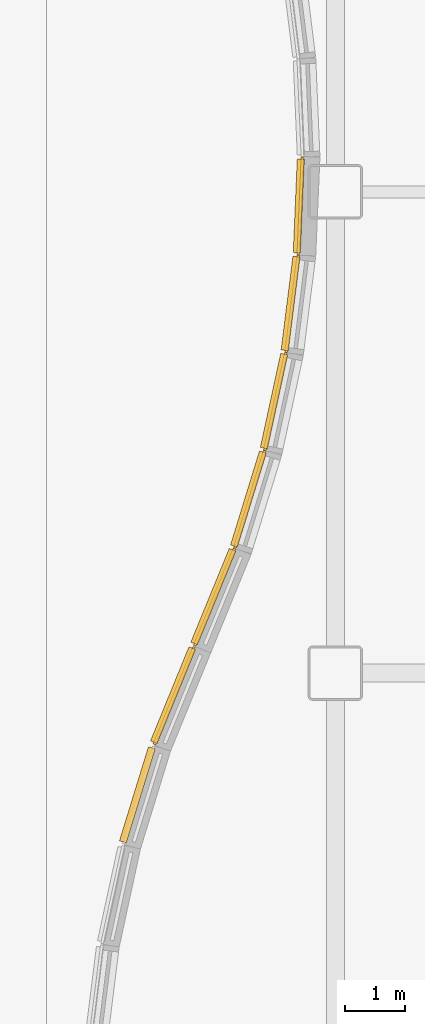
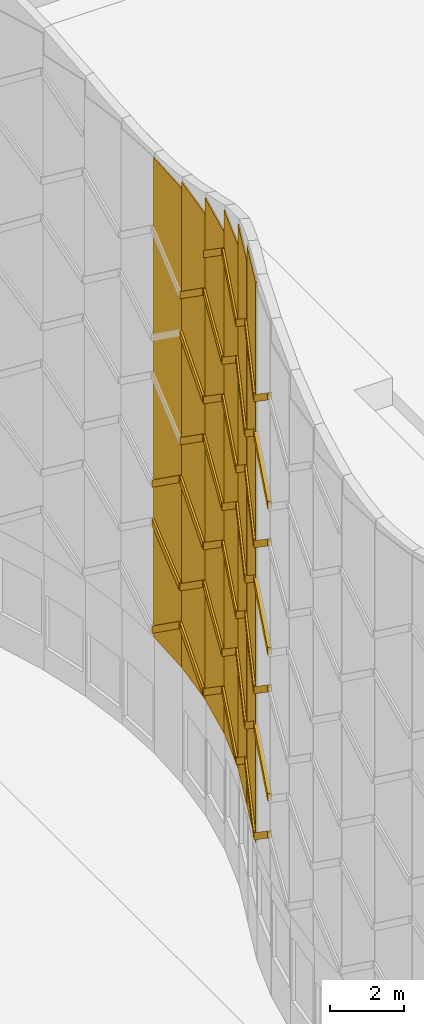
# One storey, part 152 of 165: 50 coverings.
"""IFC4 building model written with IfcOpenShell, lengths in metres."""

from ifc_helpers import new_model, si_unit, direction, frame, origin, origin_2d, place, context, subcontext, project, spatial, polyline, rectangle, outline, extrude, material, layer, layer_set, type_object, element, save


model = new_model("IFC4")

# Units and contexts
model_context = context("Model", 3, precision=1e-05, world=origin(), true_north=direction((0.0, 1.0)))
body_context = subcontext(model_context, "Body", "Model", "MODEL_VIEW")
ifc_project = project(units=[si_unit("LENGTHUNIT", "METRE"), si_unit("AREAUNIT", "SQUARE_METRE"), si_unit("VOLUMEUNIT", "CUBIC_METRE"), si_unit("PLANEANGLEUNIT", "RADIAN"), si_unit("MASSUNIT", "GRAM", prefix="KILO")], contexts=[model_context])

# Site, building, storey
site_placement = place(None, origin())
site = spatial("IfcSite", under=ifc_project, at=site_placement, CompositionType="ELEMENT")
building_placement = place(site_placement, origin())
building = spatial("IfcBuilding", under=site, at=building_placement, Name="Kazehara Bluff Congress Hotel", CompositionType="ELEMENT")
storey_placement = place(building_placement, origin())
storey = spatial("IfcBuildingStorey", under=building, at=storey_placement, Name="L00", CompositionType="ELEMENT", Elevation=0.0)

# Coverings
ifc_material_1 = material(Name="Basalt stone-grey chevron ceramic tile", Category="masonry")
ifc_layer_1 = layer(ifc_material_1, 0.1201171875)
ifc_layer_set_1 = layer_set([ifc_layer_1], Name="Basalt stone-grey chevron ceramic tile")
covering_type_1 = type_object("IfcCoveringType", Name="TP-CHV-RIB", PredefinedType="CLADDING", material=ifc_layer_set_1)
covering_1_placement = place(storey_placement, frame((1.260009765625, 61.610107421875, 4.0), z_axis=(0.0, 0.0, 1.0), x_axis=(0.294245819444, 0.955729772342, 0.0)))
element("IfcCovering", 1, at=covering_1_placement, inside=storey, type_object=covering_type_1, Name="Chevron stone-grey tile rib WR-V1-09-1", PredefinedType="CLADDING", context=body_context, shape_type="SweptSolid", body=[
    extrude(outline(polyline([(0.0400390625, 1.175048828125), (1.675048828125, 0.0), (1.675048828125, 0.239990234375), (0.0400390625, 1.4150390625), (0.0400390625, 1.175048828125)])), frame((0.0, 0.06005859375, 0.0), z_axis=(0.0, -1.0, 0.0), x_axis=(1.0, 0.0, 0.0)), (0.0, 0.0, 1.0), 0.1201171875),
])
covering_2_placement = place(storey_placement, frame((1.260009765625, 61.610107421875, 6.39990234375), z_axis=(0.0, 0.0, 1.0), x_axis=(0.294245819444, 0.955729772342, 0.0)))
element("IfcCovering", 2, at=covering_2_placement, inside=storey, type_object=covering_type_1, Name="Chevron stone-grey tile rib WR-V1-09-2", PredefinedType="CLADDING", context=body_context, shape_type="SweptSolid", body=[
    extrude(outline(polyline([(0.0400390625, 0.0), (1.675048828125, 1.175048828125), (1.675048828125, 1.4150390625), (0.0400390625, 0.239990234375), (0.0400390625, 0.0)])), frame((0.0, 0.06005859375, 0.0), z_axis=(0.0, -1.0, 0.0), x_axis=(1.0, 0.0, 0.0)), (0.0, 0.0, 1.0), 0.1201171875),
])
covering_3_placement = place(storey_placement, frame((1.260009765625, 61.610107421875, 8.800048828125), z_axis=(0.0, 0.0, 1.0), x_axis=(0.294245819444, 0.955729772342, 0.0)))
element("IfcCovering", 3, at=covering_3_placement, inside=storey, type_object=covering_type_1, Name="Chevron stone-grey tile rib WR-V1-09-3", PredefinedType="CLADDING", context=body_context, shape_type="SweptSolid", body=[
    extrude(outline(polyline([(0.0400390625, 1.175048828125), (1.675048828125, 0.0), (1.675048828125, 0.239990234375), (0.0400390625, 1.4150390625), (0.0400390625, 1.175048828125)])), frame((0.0, 0.06005859375, 0.0), z_axis=(0.0, -1.0, 0.0), x_axis=(1.0, 0.0, 0.0)), (0.0, 0.0, 1.0), 0.1201171875),
])
covering_4_placement = place(storey_placement, frame((1.260009765625, 61.610107421875, 11.199951171875), z_axis=(0.0, 0.0, 1.0), x_axis=(0.294245819444, 0.955729772342, 0.0)))
element("IfcCovering", 4, at=covering_4_placement, inside=storey, type_object=covering_type_1, Name="Chevron stone-grey tile rib WR-V1-09-4", PredefinedType="CLADDING", context=body_context, shape_type="SweptSolid", body=[
    extrude(outline(polyline([(0.0400390625, 0.0), (1.675048828125, 1.175048828125), (1.675048828125, 1.4150390625), (0.0400390625, 0.239990234375), (0.0400390625, 0.0)])), frame((0.0, 0.06005859375, 0.0), z_axis=(0.0, -1.0, 0.0), x_axis=(1.0, 0.0, 0.0)), (0.0, 0.0, 1.0), 0.1201171875),
])
covering_5_placement = place(storey_placement, frame((1.260009765625, 61.610107421875, 13.60009765625), z_axis=(0.0, 0.0, 1.0), x_axis=(0.294245819444, 0.955729772342, 0.0)))
element("IfcCovering", 5, at=covering_5_placement, inside=storey, type_object=covering_type_1, Name="Chevron stone-grey tile rib WR-V1-09-5", PredefinedType="CLADDING", context=body_context, shape_type="SweptSolid", body=[
    extrude(outline(polyline([(0.0400390625, 1.1748046875), (1.675048828125, 0.0), (1.675048828125, 0.239990234375), (0.0400390625, 1.414794921875), (0.0400390625, 1.1748046875)])), frame((0.0, 0.06005859375, 0.0), z_axis=(0.0, -1.0, 0.0), x_axis=(1.0, 0.0, 0.0)), (0.0, 0.0, 1.0), 0.1201171875),
])
covering_6_placement = place(storey_placement, frame((1.260009765625, 61.610107421875, 16.0), z_axis=(0.0, 0.0, 1.0), x_axis=(0.294245819444, 0.955729772342, 0.0)))
element("IfcCovering", 6, at=covering_6_placement, inside=storey, type_object=covering_type_1, Name="Chevron stone-grey tile rib WR-V1-09-6", PredefinedType="CLADDING", context=body_context, shape_type="SweptSolid", body=[
    extrude(outline(polyline([(0.0400390625, 0.0), (1.675048828125, 1.175048828125), (1.675048828125, 1.4150390625), (0.0400390625, 0.239990234375), (0.0400390625, 0.0)])), frame((0.0, 0.06005859375, 0.0), z_axis=(0.0, -1.0, 0.0), x_axis=(1.0, 0.0, 0.0)), (0.0, 0.0, 1.0), 0.1201171875),
])
covering_7_placement = place(storey_placement, frame((1.260009765625, 61.610107421875, 18.39990234375), z_axis=(0.0, 0.0, 1.0), x_axis=(0.294245819444, 0.955729772342, 0.0)))
element("IfcCovering", 7, at=covering_7_placement, inside=storey, type_object=covering_type_1, Name="Chevron stone-grey tile rib WR-V1-09-7", PredefinedType="CLADDING", context=body_context, shape_type="SweptSolid", body=[
    extrude(outline(polyline([(0.0400390625, 1.175048828125), (1.675048828125, 0.0), (1.675048828125, 0.239990234375), (0.0400390625, 1.4150390625), (0.0400390625, 1.175048828125)])), frame((0.0, 0.06005859375, 0.0), z_axis=(0.0, -1.0, 0.0), x_axis=(1.0, 0.0, 0.0)), (0.0, 0.0, 1.0), 0.1201171875),
])
covering_8_placement = place(storey_placement, frame((1.77001953125, 63.264892578125, 4.0), z_axis=(0.0, 0.0, 1.0), x_axis=(0.378128410159, 0.925753155777, 0.0)))
element("IfcCovering", 8, at=covering_8_placement, inside=storey, type_object=covering_type_1, Name="Chevron stone-grey tile rib WR-V1-10-1", PredefinedType="CLADDING", context=body_context, shape_type="SweptSolid", body=[
    extrude(outline(polyline([(0.0400390625, 0.0), (1.72998046875, 1.199951171875), (1.72998046875, 1.43994140625), (0.0400390625, 0.239990234375), (0.0400390625, 0.0)])), frame((0.0, 0.06005859375, 0.0), z_axis=(0.0, -1.0, 0.0), x_axis=(1.0, 0.0, 0.0)), (0.0, 0.0, 1.0), 0.1201171875),
])
covering_9_placement = place(storey_placement, frame((1.77001953125, 63.264892578125, 6.39990234375), z_axis=(0.0, 0.0, 1.0), x_axis=(0.378128410159, 0.925753155777, 0.0)))
element("IfcCovering", 9, at=covering_9_placement, inside=storey, type_object=covering_type_1, Name="Chevron stone-grey tile rib WR-V1-10-2", PredefinedType="CLADDING", context=body_context, shape_type="SweptSolid", body=[
    extrude(outline(polyline([(0.0400390625, 1.2001953125), (1.72998046875, 0.0), (1.72998046875, 0.239990234375), (0.0400390625, 1.440185546875), (0.0400390625, 1.2001953125)])), frame((0.0, 0.06005859375, 0.0), z_axis=(0.0, -1.0, 0.0), x_axis=(1.0, 0.0, 0.0)), (0.0, 0.0, 1.0), 0.1201171875),
])
covering_10_placement = place(storey_placement, frame((1.77001953125, 63.264892578125, 8.800048828125), z_axis=(0.0, 0.0, 1.0), x_axis=(0.378128410159, 0.925753155777, 0.0)))
element("IfcCovering", 10, at=covering_10_placement, inside=storey, type_object=covering_type_1, Name="Chevron stone-grey tile rib WR-V1-10-3", PredefinedType="CLADDING", context=body_context, shape_type="SweptSolid", body=[
    extrude(outline(polyline([(0.0400390625, 0.0), (1.72998046875, 1.199951171875), (1.72998046875, 1.43994140625), (0.0400390625, 0.239990234375), (0.0400390625, 0.0)])), frame((0.0, 0.06005859375, 0.0), z_axis=(0.0, -1.0, 0.0), x_axis=(1.0, 0.0, 0.0)), (0.0, 0.0, 1.0), 0.1201171875),
])
covering_11_placement = place(storey_placement, frame((1.77001953125, 63.264892578125, 11.199951171875), z_axis=(0.0, 0.0, 1.0), x_axis=(0.378128410159, 0.925753155777, 0.0)))
element("IfcCovering", 11, at=covering_11_placement, inside=storey, type_object=covering_type_1, Name="Chevron stone-grey tile rib WR-V1-10-4", PredefinedType="CLADDING", context=body_context, shape_type="SweptSolid", body=[
    extrude(outline(polyline([(0.0400390625, 1.199951171875), (1.72998046875, 0.0), (1.72998046875, 0.239990234375), (0.0400390625, 1.43994140625), (0.0400390625, 1.199951171875)])), frame((0.0, 0.06005859375, 0.0), z_axis=(0.0, -1.0, 0.0), x_axis=(1.0, 0.0, 0.0)), (0.0, 0.0, 1.0), 0.1201171875),
])
covering_12_placement = place(storey_placement, frame((1.77001953125, 63.264892578125, 13.60009765625), z_axis=(0.0, 0.0, 1.0), x_axis=(0.378128410159, 0.925753155777, 0.0)))
element("IfcCovering", 12, at=covering_12_placement, inside=storey, type_object=covering_type_1, Name="Chevron stone-grey tile rib WR-V1-10-5", PredefinedType="CLADDING", context=body_context, shape_type="SweptSolid", body=[
    extrude(outline(polyline([(0.0400390625, 0.0), (1.72998046875, 1.199951171875), (1.72998046875, 1.43994140625), (0.0400390625, 0.239990234375), (0.0400390625, 0.0)])), frame((0.0, 0.06005859375, 0.0), z_axis=(0.0, -1.0, 0.0), x_axis=(1.0, 0.0, 0.0)), (0.0, 0.0, 1.0), 0.1201171875),
])
covering_13_placement = place(storey_placement, frame((1.77001953125, 63.264892578125, 16.0), z_axis=(0.0, 0.0, 1.0), x_axis=(0.378128410159, 0.925753155777, 0.0)))
element("IfcCovering", 13, at=covering_13_placement, inside=storey, type_object=covering_type_1, Name="Chevron stone-grey tile rib WR-V1-10-6", PredefinedType="CLADDING", context=body_context, shape_type="SweptSolid", body=[
    extrude(outline(polyline([(0.0400390625, 1.199951171875), (1.72998046875, 0.0), (1.72998046875, 0.239990234375), (0.0400390625, 1.43994140625), (0.0400390625, 1.199951171875)])), frame((0.0, 0.06005859375, 0.0), z_axis=(0.0, -1.0, 0.0), x_axis=(1.0, 0.0, 0.0)), (0.0, 0.0, 1.0), 0.1201171875),
])
covering_14_placement = place(storey_placement, frame((1.77001953125, 63.264892578125, 18.39990234375), z_axis=(0.0, 0.0, 1.0), x_axis=(0.378128410159, 0.925753155777, 0.0)))
element("IfcCovering", 14, at=covering_14_placement, inside=storey, type_object=covering_type_1, Name="Chevron stone-grey tile rib WR-V1-10-7", PredefinedType="CLADDING", context=body_context, shape_type="SweptSolid", body=[
    extrude(outline(polyline([(0.0400390625, 0.0), (1.72998046875, 1.2001953125), (1.72998046875, 1.440185546875), (0.0400390625, 0.239990234375), (0.0400390625, 0.0)])), frame((0.0, 0.06005859375, 0.0), z_axis=(0.0, -1.0, 0.0), x_axis=(1.0, 0.0, 0.0)), (0.0, 0.0, 1.0), 0.1201171875),
])
covering_15_placement = place(storey_placement, frame((2.43994140625, 64.905029296875, 4.0), z_axis=(0.0, 0.0, 1.0), x_axis=(0.379262202466, 0.925289242227, 0.0)))
element("IfcCovering", 15, at=covering_15_placement, inside=storey, type_object=covering_type_1, Name="Chevron stone-grey tile rib WR-V1-11-1", PredefinedType="CLADDING", context=body_context, shape_type="SweptSolid", body=[
    extrude(outline(polyline([(0.0400390625, 1.199951171875), (1.72509765625, 0.0), (1.72509765625, 0.239990234375), (0.0400390625, 1.43994140625), (0.0400390625, 1.199951171875)])), frame((0.0, 0.06005859375, 0.0), z_axis=(0.0, -1.0, 0.0), x_axis=(1.0, 0.0, 0.0)), (0.0, 0.0, 1.0), 0.1201171875),
])
covering_16_placement = place(storey_placement, frame((2.43994140625, 64.905029296875, 6.39990234375), z_axis=(0.0, 0.0, 1.0), x_axis=(0.379262202466, 0.925289242227, 0.0)))
element("IfcCovering", 16, at=covering_16_placement, inside=storey, type_object=covering_type_1, Name="Chevron stone-grey tile rib WR-V1-11-2", PredefinedType="CLADDING", context=body_context, shape_type="SweptSolid", body=[
    extrude(outline(polyline([(0.0400390625, 0.0), (1.72509765625, 1.2001953125), (1.72509765625, 1.440185546875), (0.0400390625, 0.239990234375), (0.0400390625, 0.0)])), frame((0.0, 0.06005859375, 0.0), z_axis=(0.0, -1.0, 0.0), x_axis=(1.0, 0.0, 0.0)), (0.0, 0.0, 1.0), 0.1201171875),
])
covering_17_placement = place(storey_placement, frame((2.43994140625, 64.905029296875, 8.800048828125), z_axis=(0.0, 0.0, 1.0), x_axis=(0.379262202466, 0.925289242227, 0.0)))
element("IfcCovering", 17, at=covering_17_placement, inside=storey, type_object=covering_type_1, Name="Chevron stone-grey tile rib WR-V1-11-3", PredefinedType="CLADDING", context=body_context, shape_type="SweptSolid", body=[
    extrude(outline(polyline([(0.0400390625, 1.199951171875), (1.72509765625, 0.0), (1.72509765625, 0.239990234375), (0.0400390625, 1.43994140625), (0.0400390625, 1.199951171875)])), frame((0.0, 0.06005859375, 0.0), z_axis=(0.0, -1.0, 0.0), x_axis=(1.0, 0.0, 0.0)), (0.0, 0.0, 1.0), 0.1201171875),
])
covering_18_placement = place(storey_placement, frame((2.43994140625, 64.905029296875, 11.199951171875), z_axis=(0.0, 0.0, 1.0), x_axis=(0.379262202466, 0.925289242227, 0.0)))
element("IfcCovering", 18, at=covering_18_placement, inside=storey, type_object=covering_type_1, Name="Chevron stone-grey tile rib WR-V1-11-4", PredefinedType="CLADDING", context=body_context, shape_type="SweptSolid", body=[
    extrude(outline(polyline([(0.0400390625, 0.0), (1.72509765625, 1.199951171875), (1.72509765625, 1.43994140625), (0.0400390625, 0.239990234375), (0.0400390625, 0.0)])), frame((0.0, 0.06005859375, 0.0), z_axis=(0.0, -1.0, 0.0), x_axis=(1.0, 0.0, 0.0)), (0.0, 0.0, 1.0), 0.1201171875),
])
covering_19_placement = place(storey_placement, frame((2.43994140625, 64.905029296875, 13.60009765625), z_axis=(0.0, 0.0, 1.0), x_axis=(0.379262202466, 0.925289242227, 0.0)))
element("IfcCovering", 19, at=covering_19_placement, inside=storey, type_object=covering_type_1, Name="Chevron stone-grey tile rib WR-V1-11-5", PredefinedType="CLADDING", context=body_context, shape_type="SweptSolid", body=[
    extrude(outline(polyline([(0.0400390625, 1.199951171875), (1.72509765625, 0.0), (1.72509765625, 0.239990234375), (0.0400390625, 1.43994140625), (0.0400390625, 1.199951171875)])), frame((0.0, 0.06005859375, 0.0), z_axis=(0.0, -1.0, 0.0), x_axis=(1.0, 0.0, 0.0)), (0.0, 0.0, 1.0), 0.1201171875),
])
covering_20_placement = place(storey_placement, frame((2.43994140625, 64.905029296875, 16.0), z_axis=(0.0, 0.0, 1.0), x_axis=(0.379262202466, 0.925289242227, 0.0)))
element("IfcCovering", 20, at=covering_20_placement, inside=storey, type_object=covering_type_1, Name="Chevron stone-grey tile rib WR-V1-11-6", PredefinedType="CLADDING", context=body_context, shape_type="SweptSolid", body=[
    extrude(outline(polyline([(0.0400390625, 0.0), (1.72509765625, 1.199951171875), (1.72509765625, 1.43994140625), (0.0400390625, 0.239990234375), (0.0400390625, 0.0)])), frame((0.0, 0.06005859375, 0.0), z_axis=(0.0, -1.0, 0.0), x_axis=(1.0, 0.0, 0.0)), (0.0, 0.0, 1.0), 0.1201171875),
])
covering_21_placement = place(storey_placement, frame((2.43994140625, 64.905029296875, 18.39990234375), z_axis=(0.0, 0.0, 1.0), x_axis=(0.379262202466, 0.925289242227, 0.0)))
element("IfcCovering", 21, at=covering_21_placement, inside=storey, type_object=covering_type_1, Name="Chevron stone-grey tile rib WR-V1-11-7", PredefinedType="CLADDING", context=body_context, shape_type="SweptSolid", body=[
    extrude(outline(polyline([(0.0400390625, 1.2001953125), (1.72509765625, 0.0), (1.72509765625, 0.239990234375), (0.0400390625, 1.440185546875), (0.0400390625, 1.2001953125)])), frame((0.0, 0.06005859375, 0.0), z_axis=(0.0, -1.0, 0.0), x_axis=(1.0, 0.0, 0.0)), (0.0, 0.0, 1.0), 0.1201171875),
])
covering_22_placement = place(storey_placement, frame((3.10498046875, 66.52490234375, 4.0), z_axis=(0.0, 0.0, 1.0), x_axis=(0.294335754843, 0.955702078799, 0.0)))
element("IfcCovering", 22, at=covering_22_placement, inside=storey, type_object=covering_type_1, Name="Chevron stone-grey tile rib WR-V1-12-1", PredefinedType="CLADDING", context=body_context, shape_type="SweptSolid", body=[
    extrude(outline(polyline([(0.0400390625, 0.0), (1.675048828125, 1.175048828125), (1.675048828125, 1.4150390625), (0.0400390625, 0.239990234375), (0.0400390625, 0.0)])), frame((0.0, 0.06005859375, 0.0), z_axis=(0.0, -1.0, 0.0), x_axis=(1.0, 0.0, 0.0)), (0.0, 0.0, 1.0), 0.1201171875),
])
covering_23_placement = place(storey_placement, frame((3.10498046875, 66.52490234375, 6.39990234375), z_axis=(0.0, 0.0, 1.0), x_axis=(0.294335754843, 0.955702078799, 0.0)))
element("IfcCovering", 23, at=covering_23_placement, inside=storey, type_object=covering_type_1, Name="Chevron stone-grey tile rib WR-V1-12-2", PredefinedType="CLADDING", context=body_context, shape_type="SweptSolid", body=[
    extrude(outline(polyline([(0.0400390625, 1.175048828125), (1.675048828125, 0.0), (1.675048828125, 0.239990234375), (0.0400390625, 1.4150390625), (0.0400390625, 1.175048828125)])), frame((0.0, 0.06005859375, 0.0), z_axis=(0.0, -1.0, 0.0), x_axis=(1.0, 0.0, 0.0)), (0.0, 0.0, 1.0), 0.1201171875),
])
covering_24_placement = place(storey_placement, frame((3.10498046875, 66.52490234375, 8.800048828125), z_axis=(0.0, 0.0, 1.0), x_axis=(0.294335754843, 0.955702078799, 0.0)))
element("IfcCovering", 24, at=covering_24_placement, inside=storey, type_object=covering_type_1, Name="Chevron stone-grey tile rib WR-V1-12-3", PredefinedType="CLADDING", context=body_context, shape_type="SweptSolid", body=[
    extrude(outline(polyline([(0.0400390625, 0.0), (1.675048828125, 1.175048828125), (1.675048828125, 1.4150390625), (0.0400390625, 0.239990234375), (0.0400390625, 0.0)])), frame((0.0, 0.06005859375, 0.0), z_axis=(0.0, -1.0, 0.0), x_axis=(1.0, 0.0, 0.0)), (0.0, 0.0, 1.0), 0.1201171875),
])
covering_25_placement = place(storey_placement, frame((3.10498046875, 66.52490234375, 11.199951171875), z_axis=(0.0, 0.0, 1.0), x_axis=(0.294335754843, 0.955702078799, 0.0)))
element("IfcCovering", 25, at=covering_25_placement, inside=storey, type_object=covering_type_1, Name="Chevron stone-grey tile rib WR-V1-12-4", PredefinedType="CLADDING", context=body_context, shape_type="SweptSolid", body=[
    extrude(outline(polyline([(0.0400390625, 1.175048828125), (1.675048828125, 0.0), (1.675048828125, 0.239990234375), (0.0400390625, 1.4150390625), (0.0400390625, 1.175048828125)])), frame((0.0, 0.06005859375, 0.0), z_axis=(0.0, -1.0, 0.0), x_axis=(1.0, 0.0, 0.0)), (0.0, 0.0, 1.0), 0.1201171875),
])
covering_26_placement = place(storey_placement, frame((3.10498046875, 66.52490234375, 13.60009765625), z_axis=(0.0, 0.0, 1.0), x_axis=(0.294335754843, 0.955702078799, 0.0)))
element("IfcCovering", 26, at=covering_26_placement, inside=storey, type_object=covering_type_1, Name="Chevron stone-grey tile rib WR-V1-12-5", PredefinedType="CLADDING", context=body_context, shape_type="SweptSolid", body=[
    extrude(outline(polyline([(0.0400390625, 0.0), (1.675048828125, 1.1748046875), (1.675048828125, 1.414794921875), (0.0400390625, 0.239990234375), (0.0400390625, 0.0)])), frame((0.0, 0.06005859375, 0.0), z_axis=(0.0, -1.0, 0.0), x_axis=(1.0, 0.0, 0.0)), (0.0, 0.0, 1.0), 0.1201171875),
])
covering_27_placement = place(storey_placement, frame((3.10498046875, 66.52490234375, 16.0), z_axis=(0.0, 0.0, 1.0), x_axis=(0.294335754843, 0.955702078799, 0.0)))
element("IfcCovering", 27, at=covering_27_placement, inside=storey, type_object=covering_type_1, Name="Chevron stone-grey tile rib WR-V1-12-6", PredefinedType="CLADDING", context=body_context, shape_type="SweptSolid", body=[
    extrude(outline(polyline([(0.0400390625, 1.175048828125), (1.675048828125, 0.0), (1.675048828125, 0.239990234375), (0.0400390625, 1.4150390625), (0.0400390625, 1.175048828125)])), frame((0.0, 0.06005859375, 0.0), z_axis=(0.0, -1.0, 0.0), x_axis=(1.0, 0.0, 0.0)), (0.0, 0.0, 1.0), 0.1201171875),
])
covering_28_placement = place(storey_placement, frame((3.10498046875, 66.52490234375, 18.39990234375), z_axis=(0.0, 0.0, 1.0), x_axis=(0.294335754843, 0.955702078799, 0.0)))
element("IfcCovering", 28, at=covering_28_placement, inside=storey, type_object=covering_type_1, Name="Chevron stone-grey tile rib WR-V1-12-7", PredefinedType="CLADDING", context=body_context, shape_type="SweptSolid", body=[
    extrude(outline(polyline([(0.0400390625, 0.0), (1.675048828125, 1.175048828125), (1.675048828125, 1.4150390625), (0.0400390625, 0.239990234375), (0.0400390625, 0.0)])), frame((0.0, 0.06005859375, 0.0), z_axis=(0.0, -1.0, 0.0), x_axis=(1.0, 0.0, 0.0)), (0.0, 0.0, 1.0), 0.1201171875),
])
covering_29_placement = place(storey_placement, frame((3.60498046875, 68.14990234375, 4.0), z_axis=(0.0, 0.0, 1.0), x_axis=(0.2115356349, 0.977370285597, 0.0)))
element("IfcCovering", 29, at=covering_29_placement, inside=storey, type_object=covering_type_1, Name="Chevron stone-grey tile rib WR-V1-13-1", PredefinedType="CLADDING", context=body_context, shape_type="SweptSolid", body=[
    extrude(outline(polyline([(0.0400390625, 1.14990234375), (1.639892578125, 0.0), (1.639892578125, 0.239990234375), (0.0400390625, 1.389892578125), (0.0400390625, 1.14990234375)])), frame((0.0, 0.06005859375, 0.0), z_axis=(0.0, -1.0, 0.0), x_axis=(1.0, 0.0, 0.0)), (0.0, 0.0, 1.0), 0.1201171875),
])
covering_30_placement = place(storey_placement, frame((3.60498046875, 68.14990234375, 6.39990234375), z_axis=(0.0, 0.0, 1.0), x_axis=(0.2115356349, 0.977370285597, 0.0)))
element("IfcCovering", 30, at=covering_30_placement, inside=storey, type_object=covering_type_1, Name="Chevron stone-grey tile rib WR-V1-13-2", PredefinedType="CLADDING", context=body_context, shape_type="SweptSolid", body=[
    extrude(outline(polyline([(0.0400390625, 0.0), (1.639892578125, 1.150146484375), (1.639892578125, 1.39013671875), (0.0400390625, 0.239990234375), (0.0400390625, 0.0)])), frame((0.0, 0.06005859375, 0.0), z_axis=(0.0, -1.0, 0.0), x_axis=(1.0, 0.0, 0.0)), (0.0, 0.0, 1.0), 0.1201171875),
])
covering_31_placement = place(storey_placement, frame((3.60498046875, 68.14990234375, 8.800048828125), z_axis=(0.0, 0.0, 1.0), x_axis=(0.2115356349, 0.977370285597, 0.0)))
element("IfcCovering", 31, at=covering_31_placement, inside=storey, type_object=covering_type_1, Name="Chevron stone-grey tile rib WR-V1-13-3", PredefinedType="CLADDING", context=body_context, shape_type="SweptSolid", body=[
    extrude(outline(polyline([(0.0400390625, 1.14990234375), (1.639892578125, 0.0), (1.639892578125, 0.239990234375), (0.0400390625, 1.389892578125), (0.0400390625, 1.14990234375)])), frame((0.0, 0.06005859375, 0.0), z_axis=(0.0, -1.0, 0.0), x_axis=(1.0, 0.0, 0.0)), (0.0, 0.0, 1.0), 0.1201171875),
])
covering_32_placement = place(storey_placement, frame((3.60498046875, 68.14990234375, 11.199951171875), z_axis=(0.0, 0.0, 1.0), x_axis=(0.2115356349, 0.977370285597, 0.0)))
element("IfcCovering", 32, at=covering_32_placement, inside=storey, type_object=covering_type_1, Name="Chevron stone-grey tile rib WR-V1-13-4", PredefinedType="CLADDING", context=body_context, shape_type="SweptSolid", body=[
    extrude(outline(polyline([(0.0400390625, 0.0), (1.639892578125, 1.150146484375), (1.639892578125, 1.39013671875), (0.0400390625, 0.239990234375), (0.0400390625, 0.0)])), frame((0.0, 0.06005859375, 0.0), z_axis=(0.0, -1.0, 0.0), x_axis=(1.0, 0.0, 0.0)), (0.0, 0.0, 1.0), 0.1201171875),
])
covering_33_placement = place(storey_placement, frame((3.60498046875, 68.14990234375, 13.60009765625), z_axis=(0.0, 0.0, 1.0), x_axis=(0.2115356349, 0.977370285597, 0.0)))
element("IfcCovering", 33, at=covering_33_placement, inside=storey, type_object=covering_type_1, Name="Chevron stone-grey tile rib WR-V1-13-5", PredefinedType="CLADDING", context=body_context, shape_type="SweptSolid", body=[
    extrude(outline(polyline([(0.0400390625, 1.14990234375), (1.639892578125, 0.0), (1.639892578125, 0.239990234375), (0.0400390625, 1.389892578125), (0.0400390625, 1.14990234375)])), frame((0.0, 0.06005859375, 0.0), z_axis=(0.0, -1.0, 0.0), x_axis=(1.0, 0.0, 0.0)), (0.0, 0.0, 1.0), 0.1201171875),
])
covering_34_placement = place(storey_placement, frame((3.60498046875, 68.14990234375, 16.0), z_axis=(0.0, 0.0, 1.0), x_axis=(0.2115356349, 0.977370285597, 0.0)))
element("IfcCovering", 34, at=covering_34_placement, inside=storey, type_object=covering_type_1, Name="Chevron stone-grey tile rib WR-V1-13-6", PredefinedType="CLADDING", context=body_context, shape_type="SweptSolid", body=[
    extrude(outline(polyline([(0.0400390625, 0.0), (1.639892578125, 1.14990234375), (1.639892578125, 1.389892578125), (0.0400390625, 0.239990234375), (0.0400390625, 0.0)])), frame((0.0, 0.06005859375, 0.0), z_axis=(0.0, -1.0, 0.0), x_axis=(1.0, 0.0, 0.0)), (0.0, 0.0, 1.0), 0.1201171875),
])
covering_35_placement = place(storey_placement, frame((3.60498046875, 68.14990234375, 18.39990234375), z_axis=(0.0, 0.0, 1.0), x_axis=(0.2115356349, 0.977370285597, 0.0)))
element("IfcCovering", 35, at=covering_35_placement, inside=storey, type_object=covering_type_1, Name="Chevron stone-grey tile rib WR-V1-13-7", PredefinedType="CLADDING", context=body_context, shape_type="SweptSolid", body=[
    extrude(outline(polyline([(0.0400390625, 1.150146484375), (1.639892578125, 0.0), (1.639892578125, 0.239990234375), (0.0400390625, 1.39013671875), (0.0400390625, 1.150146484375)])), frame((0.0, 0.06005859375, 0.0), z_axis=(0.0, -1.0, 0.0), x_axis=(1.0, 0.0, 0.0)), (0.0, 0.0, 1.0), 0.1201171875),
])
covering_36_placement = place(storey_placement, frame((3.955078125, 69.77490234375, 4.0), z_axis=(0.0, 0.0, 1.0), x_axis=(0.124308260476, 0.992243647688, 0.0)))
element("IfcCovering", 36, at=covering_36_placement, inside=storey, type_object=covering_type_1, Name="Chevron stone-grey tile rib WR-V1-14-1", PredefinedType="CLADDING", context=body_context, shape_type="SweptSolid", body=[
    extrude(outline(polyline([(0.0400390625, 0.0), (1.610107421875, 1.1298828125), (1.610107421875, 1.3701171875), (0.0400390625, 0.239990234375), (0.0400390625, 0.0)])), frame((0.0, 0.06005859375, 0.0), z_axis=(0.0, -1.0, 0.0), x_axis=(1.0, 0.0, 0.0)), (0.0, 0.0, 1.0), 0.1201171875),
])
covering_37_placement = place(storey_placement, frame((3.955078125, 69.77490234375, 6.39990234375), z_axis=(0.0, 0.0, 1.0), x_axis=(0.124308260476, 0.992243647688, 0.0)))
element("IfcCovering", 37, at=covering_37_placement, inside=storey, type_object=covering_type_1, Name="Chevron stone-grey tile rib WR-V1-14-2", PredefinedType="CLADDING", context=body_context, shape_type="SweptSolid", body=[
    extrude(outline(polyline([(0.0400390625, 1.130126953125), (1.610107421875, 0.0), (1.610107421875, 0.239990234375), (0.0400390625, 1.3701171875), (0.0400390625, 1.130126953125)])), frame((0.0, 0.06005859375, 0.0), z_axis=(0.0, -1.0, 0.0), x_axis=(1.0, 0.0, 0.0)), (0.0, 0.0, 1.0), 0.1201171875),
])
covering_38_placement = place(storey_placement, frame((3.955078125, 69.77490234375, 8.800048828125), z_axis=(0.0, 0.0, 1.0), x_axis=(0.124308260476, 0.992243647688, 0.0)))
element("IfcCovering", 38, at=covering_38_placement, inside=storey, type_object=covering_type_1, Name="Chevron stone-grey tile rib WR-V1-14-3", PredefinedType="CLADDING", context=body_context, shape_type="SweptSolid", body=[
    extrude(outline(polyline([(0.0400390625, 0.0), (1.610107421875, 1.1298828125), (1.610107421875, 1.369873046875), (0.0400390625, 0.239990234375), (0.0400390625, 0.0)])), frame((0.0, 0.06005859375, 0.0), z_axis=(0.0, -1.0, 0.0), x_axis=(1.0, 0.0, 0.0)), (0.0, 0.0, 1.0), 0.1201171875),
])
covering_39_placement = place(storey_placement, frame((3.955078125, 69.77490234375, 11.199951171875), z_axis=(0.0, 0.0, 1.0), x_axis=(0.124308260476, 0.992243647688, 0.0)))
element("IfcCovering", 39, at=covering_39_placement, inside=storey, type_object=covering_type_1, Name="Chevron stone-grey tile rib WR-V1-14-4", PredefinedType="CLADDING", context=body_context, shape_type="SweptSolid", body=[
    extrude(outline(polyline([(0.0400390625, 1.130126953125), (1.610107421875, 0.0), (1.610107421875, 0.239990234375), (0.0400390625, 1.3701171875), (0.0400390625, 1.130126953125)])), frame((0.0, 0.06005859375, 0.0), z_axis=(0.0, -1.0, 0.0), x_axis=(1.0, 0.0, 0.0)), (0.0, 0.0, 1.0), 0.1201171875),
])
covering_40_placement = place(storey_placement, frame((3.955078125, 69.77490234375, 13.60009765625), z_axis=(0.0, 0.0, 1.0), x_axis=(0.124308260476, 0.992243647688, 0.0)))
element("IfcCovering", 40, at=covering_40_placement, inside=storey, type_object=covering_type_1, Name="Chevron stone-grey tile rib WR-V1-14-5", PredefinedType="CLADDING", context=body_context, shape_type="SweptSolid", body=[
    extrude(outline(polyline([(0.0400390625, 0.0), (1.610107421875, 1.1298828125), (1.610107421875, 1.369873046875), (0.0400390625, 0.239990234375), (0.0400390625, 0.0)])), frame((0.0, 0.06005859375, 0.0), z_axis=(0.0, -1.0, 0.0), x_axis=(1.0, 0.0, 0.0)), (0.0, 0.0, 1.0), 0.1201171875),
])
covering_41_placement = place(storey_placement, frame((3.955078125, 69.77490234375, 16.0), z_axis=(0.0, 0.0, 1.0), x_axis=(0.124308260476, 0.992243647688, 0.0)))
element("IfcCovering", 41, at=covering_41_placement, inside=storey, type_object=covering_type_1, Name="Chevron stone-grey tile rib WR-V1-14-6", PredefinedType="CLADDING", context=body_context, shape_type="SweptSolid", body=[
    extrude(outline(polyline([(0.0400390625, 1.1298828125), (1.610107421875, 0.0), (1.610107421875, 0.239990234375), (0.0400390625, 1.3701171875), (0.0400390625, 1.1298828125)])), frame((0.0, 0.06005859375, 0.0), z_axis=(0.0, -1.0, 0.0), x_axis=(1.0, 0.0, 0.0)), (0.0, 0.0, 1.0), 0.1201171875),
])
covering_42_placement = place(storey_placement, frame((4.159912109375, 71.39501953125, 4.0), z_axis=(0.0, 0.0, 1.0), x_axis=(0.042688459142, 0.99908843225, 0.0)))
element("IfcCovering", 42, at=covering_42_placement, inside=storey, type_object=covering_type_1, Name="Chevron stone-grey tile rib WR-V1-15-1", PredefinedType="CLADDING", context=body_context, shape_type="SweptSolid", body=[
    extrude(outline(polyline([(0.0400390625, 1.125), (1.60009765625, 0.0), (1.60009765625, 0.239990234375), (0.0400390625, 1.364990234375), (0.0400390625, 1.125)])), frame((0.0, 0.06005859375, 0.0), z_axis=(0.0, -1.0, 0.0), x_axis=(1.0, 0.0, 0.0)), (0.0, 0.0, 1.0), 0.1201171875),
])
covering_43_placement = place(storey_placement, frame((4.159912109375, 71.39501953125, 6.39990234375), z_axis=(0.0, 0.0, 1.0), x_axis=(0.042688459142, 0.99908843225, 0.0)))
element("IfcCovering", 43, at=covering_43_placement, inside=storey, type_object=covering_type_1, Name="Chevron stone-grey tile rib WR-V1-15-2", PredefinedType="CLADDING", context=body_context, shape_type="SweptSolid", body=[
    extrude(outline(polyline([(0.0400390625, 0.0), (1.60009765625, 1.125), (1.60009765625, 1.364990234375), (0.0400390625, 0.239990234375), (0.0400390625, 0.0)])), frame((0.0, 0.06005859375, 0.0), z_axis=(0.0, -1.0, 0.0), x_axis=(1.0, 0.0, 0.0)), (0.0, 0.0, 1.0), 0.1201171875),
])
covering_44_placement = place(storey_placement, frame((4.159912109375, 71.39501953125, 8.800048828125), z_axis=(0.0, 0.0, 1.0), x_axis=(0.042688459142, 0.99908843225, 0.0)))
element("IfcCovering", 44, at=covering_44_placement, inside=storey, type_object=covering_type_1, Name="Chevron stone-grey tile rib WR-V1-15-3", PredefinedType="CLADDING", context=body_context, shape_type="SweptSolid", body=[
    extrude(outline(polyline([(0.0400390625, 1.125), (1.60009765625, 0.0), (1.60009765625, 0.239990234375), (0.0400390625, 1.364990234375), (0.0400390625, 1.125)])), frame((0.0, 0.06005859375, 0.0), z_axis=(0.0, -1.0, 0.0), x_axis=(1.0, 0.0, 0.0)), (0.0, 0.0, 1.0), 0.1201171875),
])
ifc_material_2 = material(Name="Stone-grey ceramic rainscreen", Category="masonry")
ifc_layer_2 = layer(ifc_material_2, 0.044921875)
ifc_layer_set_2 = layer_set([ifc_layer_2], Name="Stone-grey ceramic rainscreen")
covering_type_2 = type_object("IfcCoveringType", Name="TP-CLD-01", PredefinedType="CLADDING", material=ifc_layer_set_2)
covering_45_placement = place(storey_placement, frame((2.125, 64.074951171875, 3.8525390625), z_axis=(0.0, 0.0, 1.0), x_axis=(0.378193036346, 0.925726756262, 0.0)))
element("IfcCovering", 45, at=covering_45_placement, inside=storey, type_object=covering_type_2, Name="Chevron stone-grey ceramic cladding WR-V1-10", PredefinedType="CLADDING", context=body_context, shape_type="SweptSolid", body=[
    extrude(rectangle(XDim=1.75, YDim=0.044921875, at=origin_2d()), origin(), (0.0, 0.0, 1.0), 18.4150390625),
])
covering_46_placement = place(storey_placement, frame((2.794921875, 65.715087890625, 3.84765625), z_axis=(0.0, 0.0, 1.0), x_axis=(0.379183242572, 0.92532160277, 0.0)))
element("IfcCovering", 46, at=covering_46_placement, inside=storey, type_object=covering_type_2, Name="Chevron stone-grey ceramic cladding WR-V1-11", PredefinedType="CLADDING", context=body_context, shape_type="SweptSolid", body=[
    extrude(rectangle(XDim=1.7451171875, YDim=0.044921875, at=origin_2d()), origin(), (0.0, 0.0, 1.0), 17.905029296875),
])
covering_47_placement = place(storey_placement, frame((3.3798828125, 67.340087890625, 3.8525390625), z_axis=(0.0, 0.0, 1.0), x_axis=(0.294290541179, 0.955716002468, 0.0)))
element("IfcCovering", 47, at=covering_47_placement, inside=storey, type_object=covering_type_2, Name="Chevron stone-grey ceramic cladding WR-V1-12", PredefinedType="CLADDING", context=body_context, shape_type="SweptSolid", body=[
    extrude(rectangle(XDim=1.695068359375, YDim=0.044921875, at=origin_2d()), origin(), (0.0, 0.0, 1.0), 17.195068359375),
])
covering_48_placement = place(storey_placement, frame((3.804931640625, 68.965087890625, 3.84765625), z_axis=(0.0, 0.0, 1.0), x_axis=(0.211563617902, 0.977364228719, 0.0)))
element("IfcCovering", 48, at=covering_48_placement, inside=storey, type_object=covering_type_2, Name="Chevron stone-grey ceramic cladding WR-V1-13", PredefinedType="CLADDING", context=body_context, shape_type="SweptSolid", body=[
    extrude(rectangle(XDim=1.659912109375, YDim=0.044921875, at=origin_2d()), origin(), (0.0, 0.0, 1.0), 16.485107421875),
])
covering_49_placement = place(storey_placement, frame((4.0849609375, 70.590087890625, 3.85009765625), z_axis=(0.0, 0.0, 1.0), x_axis=(0.124408522587, 0.992231081708, 0.0)))
element("IfcCovering", 49, at=covering_49_placement, inside=storey, type_object=covering_type_2, Name="Chevron stone-grey ceramic cladding WR-V1-14", PredefinedType="CLADDING", context=body_context, shape_type="SweptSolid", body=[
    extrude(rectangle(XDim=1.6298828125, YDim=0.044921875, at=origin_2d()), origin(), (0.0, 0.0, 1.0), 15.9599609375),
])
covering_50_placement = place(storey_placement, frame((4.219970703125, 72.215087890625, 3.85009765625), z_axis=(0.0, 0.0, 1.0), x_axis=(0.0426446563, 0.99909030287, 0.0)))
element("IfcCovering", 50, at=covering_50_placement, inside=storey, type_object=covering_type_2, Name="Chevron stone-grey ceramic cladding WR-V1-15", PredefinedType="CLADDING", context=body_context, shape_type="SweptSolid", body=[
    extrude(rectangle(XDim=1.6201171875, YDim=0.044921875, at=origin_2d()), origin(), (0.0, 0.0, 1.0), 15.75),
])

save(model, "model.ifc")
